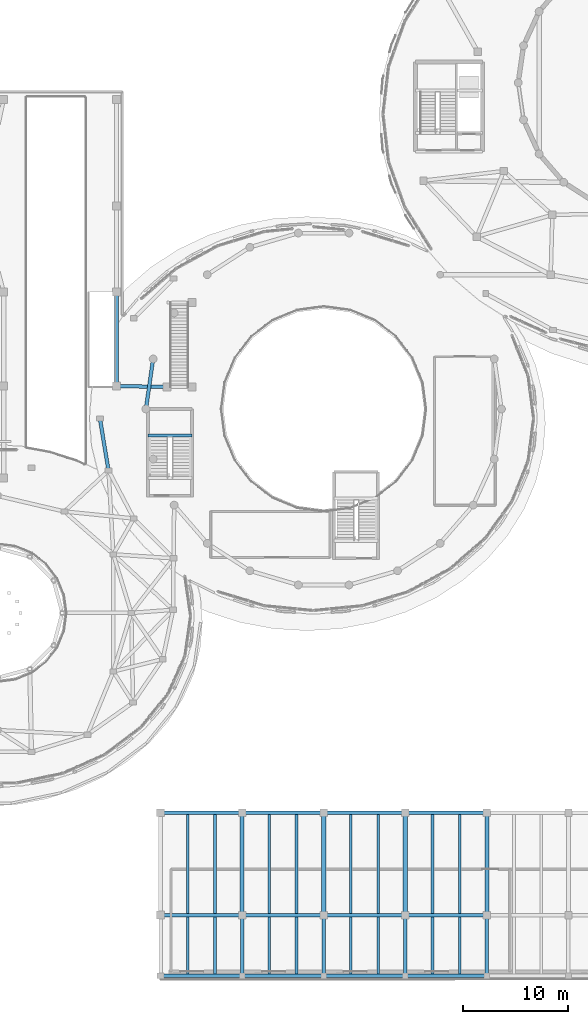
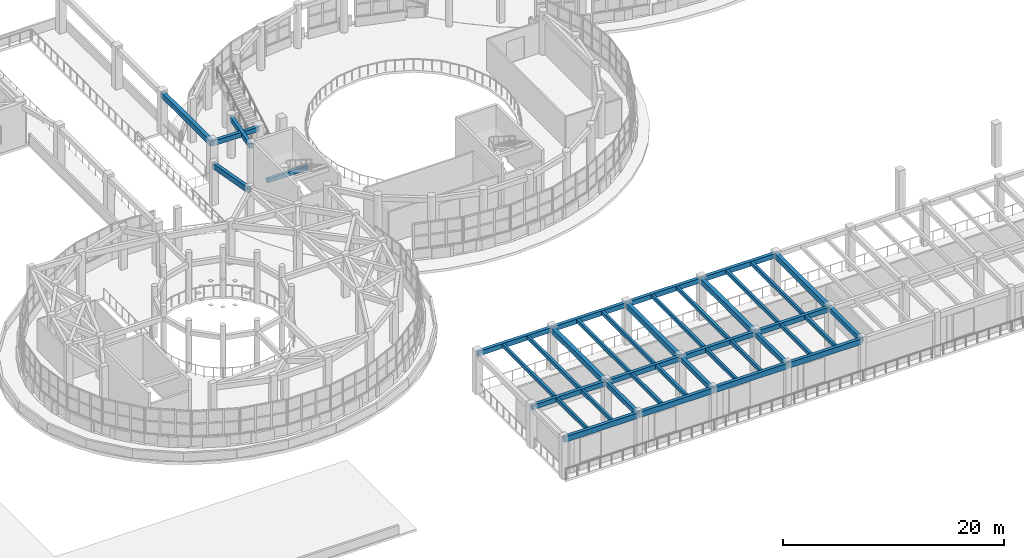
# One storey, part 17 of 98: 41 beams.
"""IFC4 building model written with IfcOpenShell, lengths in metres."""

from ifc_helpers import new_model, si_unit, direction, frame, origin, origin_2d, place, context, subcontext, project, spatial, rectangle, extrude, material, material_profile, profile_set, type_object, element, save


model = new_model("IFC4")

# Units and contexts
model_context = context("Model", 3, precision=1e-05, world=origin(), true_north=direction((0.0, 1.0)))
body_context = subcontext(model_context, "Body", "Model", "MODEL_VIEW")
ifc_project = project(units=[si_unit("LENGTHUNIT", "METRE"), si_unit("AREAUNIT", "SQUARE_METRE"), si_unit("VOLUMEUNIT", "CUBIC_METRE"), si_unit("PLANEANGLEUNIT", "RADIAN"), si_unit("MASSUNIT", "GRAM", prefix="KILO")], contexts=[model_context])

# Site, building, storey
site_placement = place(None, origin())
site = spatial("IfcSite", under=ifc_project, at=site_placement, CompositionType="ELEMENT")
building_placement = place(site_placement, origin())
building = spatial("IfcBuilding", under=site, at=building_placement, Name="Pelvatis Terrace Science Centre", CompositionType="ELEMENT")
storey_placement = place(building_placement, frame((0.0, 0.0, 5.39990234375)))
storey = spatial("IfcBuildingStorey", under=building, at=storey_placement, Name="L01", CompositionType="ELEMENT", Elevation=5.39990234375)

# Beams
ifc_material_1 = material(Name="Concrete C35/45", Category="concrete")
ifc_material_profile_1 = material_profile(ifc_material_1, rectangle(XDim=0.300048828125, YDim=0.449951171875, at=origin_2d()), Name="RC-BM 300x450")
ifc_profile_set_1 = profile_set([ifc_material_profile_1], Name="Concrete C35/45")
beam_type_1 = type_object("IfcBeamType", Name="BM-RC-300x450", PredefinedType="BEAM", material=ifc_profile_set_1)
beam_1_placement = place(storey_placement, frame((61.199951171875, 52.050048828125, 1.960205078125), z_axis=(1.0, 0.0, 0.0), x_axis=(0.0, 1.0, 0.0)))
element("IfcBeam", 1, at=beam_1_placement, inside=storey, type_object=beam_type_1, Name="Stair ST-05 half-landing beam (L01)", PredefinedType="BEAM", context=body_context, shape_type="SweptSolid", body=[
    extrude(rectangle(XDim=0.300048828125, YDim=0.449951171875, at=origin_2d()), origin(), (0.0, 0.0, 1.0), 4.199951171875),
])
ifc_material_2 = material(Name="Concrete C35/45", Category="concrete")
ifc_material_profile_2 = material_profile(ifc_material_2, rectangle(XDim=0.340087890625, YDim=0.52001953125, at=origin_2d()), Name="RC-BM 340x520")
ifc_profile_set_2 = profile_set([ifc_material_profile_2], Name="Concrete C35/45")
beam_type_2 = type_object("IfcBeamType", Name="BM-RC-340x520", PredefinedType="BEAM", material=ifc_profile_set_2)
beam_2_placement = place(storey_placement, frame((61.688720703125, 59.389404296875, 4.280029296875), z_axis=(-0.142339615489, -0.989817879139, 0.0), x_axis=(0.989817879139, -0.142339615489, 0.0)))
element("IfcBeam", 2, at=beam_2_placement, inside=storey, type_object=beam_type_2, Name="Beam BM-L01-2575", PredefinedType="BEAM", context=body_context, shape_type="SweptSolid", body=[
    extrude(rectangle(XDim=0.340087890625, YDim=0.52001953125, at=origin_2d()), origin(), (0.0, 0.0, 1.0), 4.838623046875),
])
for number, where, z_axis, x_axis, name in (
    (3, (62.39990234375, 6.199951171875, 4.280029296875), (1.0, 0.0, 0.0), (0.0, 1.0, 0.0), "Beam BM-L01-2720"),
    (4, (62.39990234375, 16.0, 4.280029296875), (1.0, 0.0, 0.0), (0.0, 1.0, 0.0), "Beam BM-L01-2721"),
):
    element("IfcBeam", number, at=place(storey_placement, frame(where, z_axis=z_axis, x_axis=x_axis)), inside=storey, type_object=beam_type_2, Name=name, PredefinedType="BEAM", context=body_context, shape_type="SweptSolid", body=[
        extrude(rectangle(XDim=0.340087890625, YDim=0.52001953125, at=origin_2d()), origin(), (0.0, 0.0, 1.0), 7.800048828125),
    ])
beam_3_placement = place(storey_placement, frame((70.199951171875, 0.39990234375, 4.280029296875), z_axis=(0.0, 1.0, 0.0), x_axis=(-1.0, 0.0, 0.0)))
element("IfcBeam", 5, at=beam_3_placement, inside=storey, type_object=beam_type_2, Name="Beam BM-L01-2722", PredefinedType="BEAM", context=body_context, shape_type="SweptSolid", body=[
    extrude(rectangle(XDim=0.340087890625, YDim=0.52001953125, at=origin_2d()), origin(), (0.0, 0.0, 1.0), 5.800048828125),
])
for number, where, z_axis, x_axis, name in (
    (6, (70.199951171875, 6.199951171875, 4.280029296875), (1.0, 0.0, 0.0), (0.0, 1.0, 0.0), "Beam BM-L01-2725"),
    (7, (70.199951171875, 16.0, 4.280029296875), (1.0, 0.0, 0.0), (0.0, 1.0, 0.0), "Beam BM-L01-2726"),
):
    element("IfcBeam", number, at=place(storey_placement, frame(where, z_axis=z_axis, x_axis=x_axis)), inside=storey, type_object=beam_type_2, Name=name, PredefinedType="BEAM", context=body_context, shape_type="SweptSolid", body=[
        extrude(rectangle(XDim=0.340087890625, YDim=0.52001953125, at=origin_2d()), origin(), (0.0, 0.0, 1.0), 7.800048828125),
    ])
beam_4_placement = place(storey_placement, frame((78.0, 0.39990234375, 4.280029296875), z_axis=(0.0, 1.0, 0.0), x_axis=(-1.0, 0.0, 0.0)))
element("IfcBeam", 8, at=beam_4_placement, inside=storey, type_object=beam_type_2, Name="Beam BM-L01-2727", PredefinedType="BEAM", context=body_context, shape_type="SweptSolid", body=[
    extrude(rectangle(XDim=0.340087890625, YDim=0.52001953125, at=origin_2d()), origin(), (0.0, 0.0, 1.0), 5.800048828125),
])
for number, where, z_axis, x_axis, name in (
    (9, (78.0, 6.199951171875, 4.280029296875), (1.0, 0.0, 0.0), (0.0, 1.0, 0.0), "Beam BM-L01-2730"),
    (10, (78.0, 16.0, 4.280029296875), (1.0, 0.0, 0.0), (0.0, 1.0, 0.0), "Beam BM-L01-2731"),
):
    element("IfcBeam", number, at=place(storey_placement, frame(where, z_axis=z_axis, x_axis=x_axis)), inside=storey, type_object=beam_type_2, Name=name, PredefinedType="BEAM", context=body_context, shape_type="SweptSolid", body=[
        extrude(rectangle(XDim=0.340087890625, YDim=0.52001953125, at=origin_2d()), origin(), (0.0, 0.0, 1.0), 7.800048828125),
    ])
beam_5_placement = place(storey_placement, frame((85.800048828125, 0.39990234375, 4.280029296875), z_axis=(0.0, 1.0, 0.0), x_axis=(-1.0, 0.0, 0.0)))
element("IfcBeam", 11, at=beam_5_placement, inside=storey, type_object=beam_type_2, Name="Beam BM-L01-2732", PredefinedType="BEAM", context=body_context, shape_type="SweptSolid", body=[
    extrude(rectangle(XDim=0.340087890625, YDim=0.52001953125, at=origin_2d()), origin(), (0.0, 0.0, 1.0), 5.800048828125),
])
for number, where, z_axis, x_axis, name in (
    (12, (85.800048828125, 6.199951171875, 4.280029296875), (1.0, 0.0, 0.0), (0.0, 1.0, 0.0), "Beam BM-L01-2735"),
    (13, (85.800048828125, 16.0, 4.280029296875), (1.0, 0.0, 0.0), (0.0, 1.0, 0.0), "Beam BM-L01-2736"),
):
    element("IfcBeam", number, at=place(storey_placement, frame(where, z_axis=z_axis, x_axis=x_axis)), inside=storey, type_object=beam_type_2, Name=name, PredefinedType="BEAM", context=body_context, shape_type="SweptSolid", body=[
        extrude(rectangle(XDim=0.340087890625, YDim=0.52001953125, at=origin_2d()), origin(), (0.0, 0.0, 1.0), 7.800048828125),
    ])
beam_6_placement = place(storey_placement, frame((93.60009765625, 0.39990234375, 4.280029296875), z_axis=(0.0, 1.0, 0.0), x_axis=(-1.0, 0.0, 0.0)))
element("IfcBeam", 14, at=beam_6_placement, inside=storey, type_object=beam_type_2, Name="Beam BM-L01-2737", PredefinedType="BEAM", context=body_context, shape_type="SweptSolid", body=[
    extrude(rectangle(XDim=0.340087890625, YDim=0.52001953125, at=origin_2d()), origin(), (0.0, 0.0, 1.0), 5.800048828125),
])
beam_7_placement = place(storey_placement, frame((58.199951171875, 56.800048828125, 4.280029296875), z_axis=(0.999782637363, -0.020848933489, 0.0), x_axis=(0.020848933489, 0.999782637363, 0.0)))
element("IfcBeam", 15, at=beam_7_placement, inside=storey, type_object=beam_type_2, Name="Beam BM-L01-2836", PredefinedType="BEAM", context=body_context, shape_type="SweptSolid", body=[
    extrude(rectangle(XDim=0.340087890625, YDim=0.52001953125, at=origin_2d()), origin(), (0.0, 0.0, 1.0), 4.801025390625),
])
ifc_material_3 = material(Name="Concrete C35/45", Category="concrete")
ifc_material_profile_3 = material_profile(ifc_material_3, rectangle(XDim=0.39990234375, YDim=0.60009765625, at=origin_2d()), Name="RC-BM 400x600")
ifc_profile_set_3 = profile_set([ifc_material_profile_3], Name="Concrete C35/45")
beam_type_3 = type_object("IfcBeamType", Name="BM-RC-400x600", PredefinedType="BEAM", material=ifc_profile_set_3)
for number, where, z_axis, x_axis, name in (
    (16, (70.199951171875, 6.199951171875, 4.239990234375), (0.0, 1.0, 0.0), (-1.0, 0.0, 0.0), "Beam BM-L01-2724"),
    (17, (78.0, 6.199951171875, 4.239990234375), (0.0, 1.0, 0.0), (-1.0, 0.0, 0.0), "Beam BM-L01-2729"),
    (18, (85.800048828125, 6.199951171875, 4.239990234375), (0.0, 1.0, 0.0), (-1.0, 0.0, 0.0), "Beam BM-L01-2734"),
    (19, (93.60009765625, 6.199951171875, 4.239990234375), (0.0, 1.0, 0.0), (-1.0, 0.0, 0.0), "Beam BM-L01-2739"),
):
    element("IfcBeam", number, at=place(storey_placement, frame(where, z_axis=z_axis, x_axis=x_axis)), inside=storey, type_object=beam_type_3, Name=name, PredefinedType="BEAM", context=body_context, shape_type="SweptSolid", body=[
        extrude(rectangle(XDim=0.39990234375, YDim=0.60009765625, at=origin_2d()), origin(), (0.0, 0.0, 1.0), 9.800048828125),
    ])
beam_8_placement = place(storey_placement, frame((58.199951171875, 56.800048828125, 4.239990234375), z_axis=(0.0, 1.0, 0.0), x_axis=(-1.0, 0.0, 0.0)))
element("IfcBeam", 20, at=beam_8_placement, inside=storey, type_object=beam_type_3, Name="Beam BM-L01-2835", PredefinedType="BEAM", context=body_context, shape_type="SweptSolid", body=[
    extrude(rectangle(XDim=0.39990234375, YDim=0.60009765625, at=origin_2d()), origin(), (0.0, 0.0, 1.0), 9.0),
])
ifc_material_4 = material(Name="Concrete C35/45", Category="concrete")
ifc_material_profile_4 = material_profile(ifc_material_4, rectangle(XDim=0.25, YDim=0.39990234375, at=origin_2d()), Name="RC-JST 250x400")
ifc_profile_set_4 = profile_set([ifc_material_profile_4], Name="Concrete C35/45")
beam_type_4 = type_object("IfcBeamType", Name="JST-RC-250x400", PredefinedType="JOIST", material=ifc_profile_set_4)
for number, where, z_axis, x_axis, name in (
    (21, (65.0, 0.570068359375, 4.340087890625), (0.0, 1.0, 0.0), (-1.0, 0.0, 0.0), "Secondary floor joist J-L01-2079"),
    (22, (67.60009765625, 0.570068359375, 4.340087890625), (0.0, 1.0, 0.0), (-1.0, 0.0, 0.0), "Secondary floor joist J-L01-2080"),
    (23, (72.800048828125, 0.570068359375, 4.340087890625), (0.0, 1.0, 0.0), (-1.0, 0.0, 0.0), "Secondary floor joist J-L01-2081"),
    (24, (75.39990234375, 0.570068359375, 4.340087890625), (0.0, 1.0, 0.0), (-1.0, 0.0, 0.0), "Secondary floor joist J-L01-2082"),
    (25, (80.60009765625, 0.570068359375, 4.340087890625), (0.0, 1.0, 0.0), (-1.0, 0.0, 0.0), "Secondary floor joist J-L01-2083"),
    (26, (83.199951171875, 0.570068359375, 4.340087890625), (0.0, 1.0, 0.0), (-1.0, 0.0, 0.0), "Secondary floor joist J-L01-2084"),
    (27, (88.39990234375, 0.570068359375, 4.340087890625), (0.0, 1.0, 0.0), (-1.0, 0.0, 0.0), "Secondary floor joist J-L01-2085"),
    (28, (91.0, 0.570068359375, 4.340087890625), (0.0, 1.0, 0.0), (-1.0, 0.0, 0.0), "Secondary floor joist J-L01-2086"),
):
    element("IfcBeam", number, at=place(storey_placement, frame(where, z_axis=z_axis, x_axis=x_axis)), inside=storey, type_object=beam_type_4, Name=name, PredefinedType="JOIST", context=body_context, shape_type="SweptSolid", body=[
        extrude(rectangle(XDim=0.25, YDim=0.39990234375, at=origin_2d()), origin(), (0.0, 0.0, 1.0), 5.4599609375),
    ])
for number, where, z_axis, x_axis, name in (
    (29, (65.0, 6.3701171875, 4.340087890625), (0.0, 1.0, 0.0), (-1.0, 0.0, 0.0), "Secondary floor joist J-L01-2105"),
    (30, (67.60009765625, 6.3701171875, 4.340087890625), (0.0, 1.0, 0.0), (-1.0, 0.0, 0.0), "Secondary floor joist J-L01-2106"),
    (31, (72.800048828125, 6.3701171875, 4.340087890625), (0.0, 1.0, 0.0), (-1.0, 0.0, 0.0), "Secondary floor joist J-L01-2107"),
    (32, (75.39990234375, 6.3701171875, 4.340087890625), (0.0, 1.0, 0.0), (-1.0, 0.0, 0.0), "Secondary floor joist J-L01-2108"),
    (33, (80.60009765625, 6.3701171875, 4.340087890625), (0.0, 1.0, 0.0), (-1.0, 0.0, 0.0), "Secondary floor joist J-L01-2109"),
    (34, (83.199951171875, 6.3701171875, 4.340087890625), (0.0, 1.0, 0.0), (-1.0, 0.0, 0.0), "Secondary floor joist J-L01-2110"),
    (35, (88.39990234375, 6.3701171875, 4.340087890625), (0.0, 1.0, 0.0), (-1.0, 0.0, 0.0), "Secondary floor joist J-L01-2111"),
    (36, (91.0, 6.3701171875, 4.340087890625), (0.0, 1.0, 0.0), (-1.0, 0.0, 0.0), "Secondary floor joist J-L01-2112"),
):
    element("IfcBeam", number, at=place(storey_placement, frame(where, z_axis=z_axis, x_axis=x_axis)), inside=storey, type_object=beam_type_4, Name=name, PredefinedType="JOIST", context=body_context, shape_type="SweptSolid", body=[
        extrude(rectangle(XDim=0.25, YDim=0.39990234375, at=origin_2d()), origin(), (0.0, 0.0, 1.0), 9.4599609375),
    ])
ifc_material_5 = material(Name="Concrete C35/45", Category="concrete")
ifc_material_profile_5 = material_profile(ifc_material_5, rectangle(XDim=0.340087890625, YDim=0.60009765625, at=origin_2d()), Name="RC-SPN 340x600")
ifc_profile_set_5 = profile_set([ifc_material_profile_5], Name="Concrete C35/45")
beam_type_5 = type_object("IfcBeamType", Name="SPN-RC-340x600", PredefinedType="SPANDREL", material=ifc_profile_set_5)
beam_9_placement = place(storey_placement, frame((56.60009765625, 53.699951171875, 4.239990234375), z_axis=(0.163451164111, -0.98655142641, 0.0), x_axis=(0.98655142641, 0.163451164111, 0.0)))
element("IfcBeam", 37, at=beam_9_placement, inside=storey, type_object=beam_type_5, Name="Spandrel SP-L01-2665", PredefinedType="SPANDREL", context=body_context, shape_type="SweptSolid", body=[
    extrude(rectangle(XDim=0.340087890625, YDim=0.60009765625, at=origin_2d()), origin(), (0.0, 0.0, 1.0), 5.054443359375),
])
for number, where, z_axis, x_axis, name in (
    (38, (62.39990234375, 0.39990234375, 4.239990234375), (1.0, 0.0, 0.0), (0.0, 1.0, 0.0), "Spandrel SP-L01-2718"),
    (39, (70.199951171875, 0.39990234375, 4.239990234375), (1.0, 0.0, 0.0), (0.0, 1.0, 0.0), "Spandrel SP-L01-2723"),
    (40, (78.0, 0.39990234375, 4.239990234375), (1.0, 0.0, 0.0), (0.0, 1.0, 0.0), "Spandrel SP-L01-2728"),
    (41, (85.800048828125, 0.39990234375, 4.239990234375), (1.0, 0.0, 0.0), (0.0, 1.0, 0.0), "Spandrel SP-L01-2733"),
):
    element("IfcBeam", number, at=place(storey_placement, frame(where, z_axis=z_axis, x_axis=x_axis)), inside=storey, type_object=beam_type_5, Name=name, PredefinedType="SPANDREL", context=body_context, shape_type="SweptSolid", body=[
        extrude(rectangle(XDim=0.340087890625, YDim=0.60009765625, at=origin_2d()), origin(), (0.0, 0.0, 1.0), 7.800048828125),
    ])

save(model, "model.ifc")
